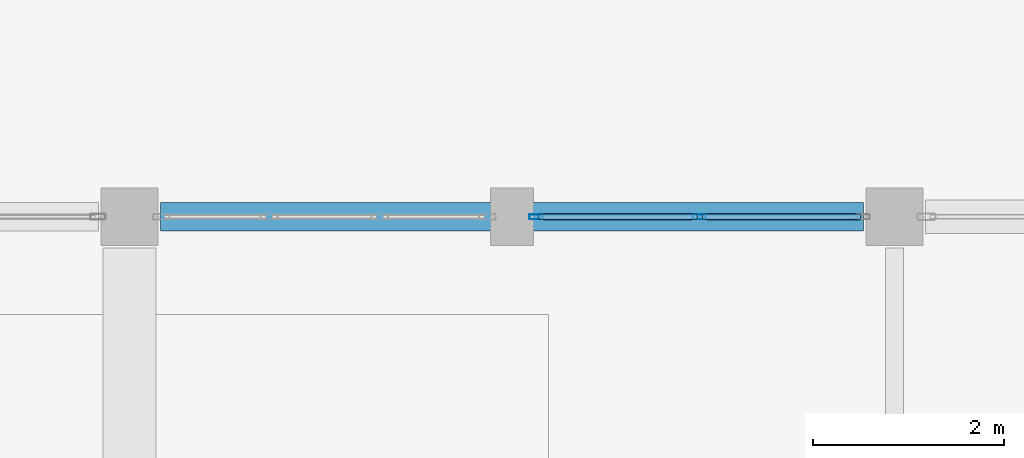
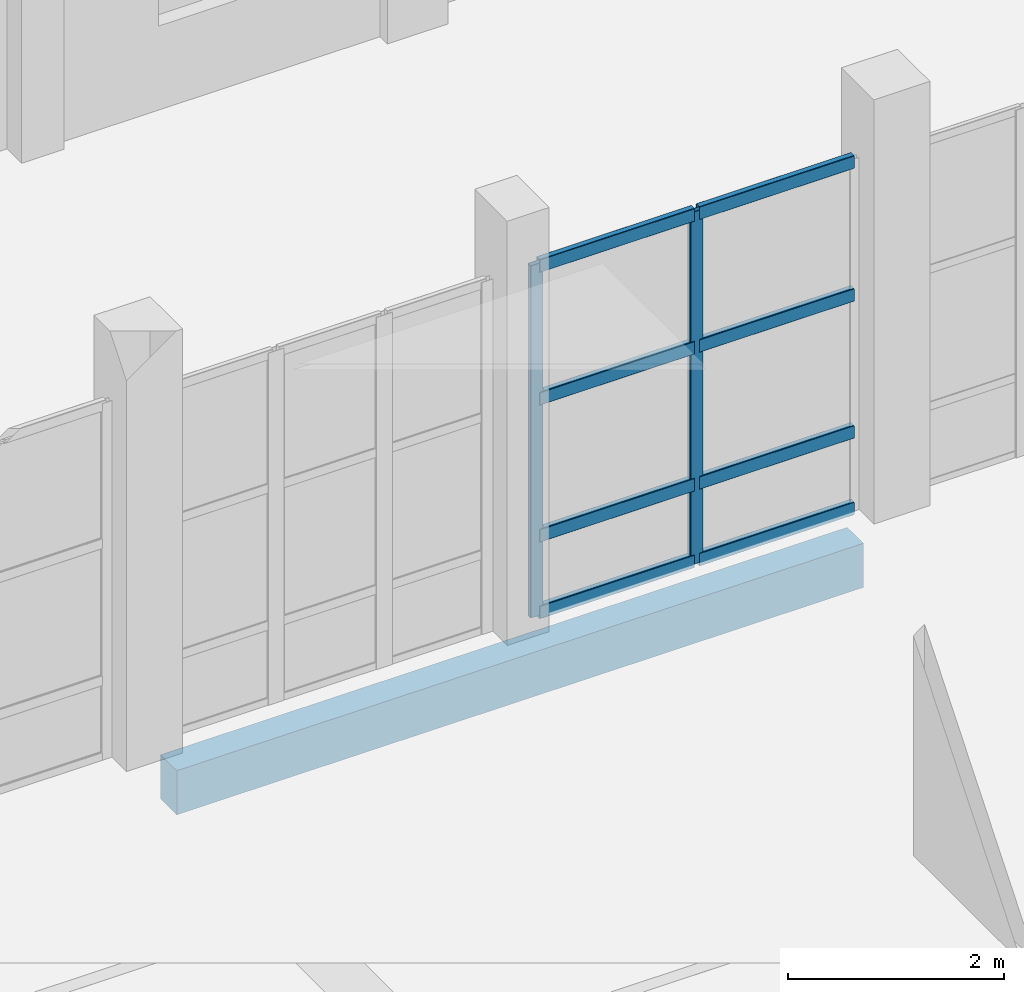
# One storey, part 68 of 156: 10 members, 1 beam, 1 element without a shape of its own.
"""IFC4 building model written with IfcOpenShell, lengths in metres."""

from ifc_helpers import new_model, si_unit, direction, frame, origin, origin_2d, place, context, subcontext, project, spatial, rectangle, hollow_rectangle, extrude, material, material_profile, profile_set, type_object, element, aggregate, save


model = new_model("IFC4")

# Units and contexts
model_context = context("Model", 3, precision=1e-05, world=origin(), true_north=direction((0.0, 1.0)))
body_context = subcontext(model_context, "Body", "Model", "MODEL_VIEW")
ifc_project = project(units=[si_unit("LENGTHUNIT", "METRE"), si_unit("AREAUNIT", "SQUARE_METRE"), si_unit("VOLUMEUNIT", "CUBIC_METRE"), si_unit("PLANEANGLEUNIT", "RADIAN"), si_unit("MASSUNIT", "GRAM", prefix="KILO")], contexts=[model_context])

# Site, building, storey
site_placement = place(None, origin())
site = spatial("IfcSite", under=ifc_project, at=site_placement, CompositionType="ELEMENT")
building_placement = place(site_placement, origin())
building = spatial("IfcBuilding", under=site, at=building_placement, Name="Luwemba Playhouse", CompositionType="ELEMENT")
storey_placement = place(building_placement, origin())
storey = spatial("IfcBuildingStorey", under=building, at=storey_placement, Name="L00", CompositionType="ELEMENT", Elevation=0.0)

# Beam
ifc_material_1 = material(Name="Concrete C40/50", Category="concrete")
ifc_material_profile_1 = material_profile(ifc_material_1, rectangle(XDim=0.300048828125, YDim=0.5, at=origin_2d()))
ifc_profile_set_1 = profile_set([ifc_material_profile_1], Name="Concrete C40/50")
beam_type = type_object("IfcBeamType", Name="BM-SP1", PredefinedType="SPANDREL", material=ifc_profile_set_1)
beam_placement = place(storey_placement, frame((156.324951171875, 27.0, -0.550048828125), z_axis=(1.0, 0.0, 0.0), x_axis=(0.0, 1.0, 0.0)))
element("IfcBeam", 1, at=beam_placement, inside=storey, type_object=beam_type, Name="L00 grid girder 0228", PredefinedType="SPANDREL", context=body_context, shape_type="SweptSolid", body=[
    extrude(rectangle(XDim=0.300048828125, YDim=0.5, at=origin_2d()), origin(), (0.0, 0.0, 1.0), 7.35009765625),
])

# Curtain wall, members
ifc_material_2 = material(Name="Solar-control double glazing", Category="glass")
curtain_wall_type = type_object("IfcCurtainWallType", Name="CW-CW55", PredefinedType="USERDEFINED", material=ifc_material_2)
curtain_wall_placement = place(storey_placement, origin())
curtain_wall = element("IfcCurtainWall", 2, at=curtain_wall_placement, inside=storey, type_object=curtain_wall_type, Name="L00 V5E unitised curtain wall 065", ObjectType="UNITISED GLAZING", PredefinedType="USERDEFINED")
ifc_material_3 = material(Name="Aluminium 6063-T6", Category="aluminium")
ifc_material_profile_2 = material_profile(ifc_material_3, hollow_rectangle(XDim=0.054931640625, YDim=0.139892578125, WallThickness=0.00390625, InnerFilletRadius=0.006103515625, OuterFilletRadius=0.010009765625, at=origin_2d()))
ifc_profile_set_2 = profile_set([ifc_material_profile_2], Name="Aluminium 6063-T6")
member_type_1 = type_object("IfcMemberType", Name="CWM-M3", PredefinedType="MULLION", material=ifc_profile_set_2)
member_1_placement = place(storey_placement, frame((160.25244140625, 27.0, 0.0), z_axis=(0.0, 0.0, 1.0), x_axis=(0.0, 1.0, 0.0)))
member_1 = element("IfcMember", 3, at=member_1_placement, type_object=member_type_1, Name="CW55 mullion 1", PredefinedType="MULLION", context=body_context, shape_type="SweptSolid", body=[
    extrude(hollow_rectangle(XDim=0.054931640625, YDim=0.139892578125, WallThickness=0.00390625, InnerFilletRadius=0.006103515625, OuterFilletRadius=0.010009765625, at=origin_2d()), origin(), (0.0, 0.0, 1.0), 3.985107421875),
])
member_2_placement = place(storey_placement, frame((161.96240234375, 27.0, 0.0), z_axis=(0.0, 0.0, 1.0), x_axis=(0.0, 1.0, 0.0)))
member_2 = element("IfcMember", 4, at=member_2_placement, type_object=member_type_1, Name="CW55 mullion 2", PredefinedType="MULLION", context=body_context, shape_type="SweptSolid", body=[
    extrude(hollow_rectangle(XDim=0.054931640625, YDim=0.139892578125, WallThickness=0.00390625, InnerFilletRadius=0.006103515625, OuterFilletRadius=0.010009765625, at=origin_2d()), origin(), (0.0, 0.0, 1.0), 3.985107421875),
])
ifc_material_profile_3 = material_profile(ifc_material_3, hollow_rectangle(XDim=0.06494140625, YDim=0.14990234375, WallThickness=0.00390625, InnerFilletRadius=0.006103515625, OuterFilletRadius=0.010009765625, at=origin_2d()))
ifc_profile_set_3 = profile_set([ifc_material_profile_3], Name="Aluminium 6063-T6")
member_type_2 = type_object("IfcMemberType", Name="CWT-T3", PredefinedType="USERDEFINED", material=ifc_profile_set_3)
member_3_placement = place(storey_placement, frame((160.280029296875, 27.0, 0.032470703125), z_axis=(1.0, 0.0, 0.0), x_axis=(0.0, 1.0, 0.0)))
member_3 = element("IfcMember", 5, at=member_3_placement, type_object=member_type_2, Name="CW55 transom 1.1", ObjectType="TRANSOM", PredefinedType="USERDEFINED", context=body_context, shape_type="SweptSolid", body=[
    extrude(hollow_rectangle(XDim=0.06494140625, YDim=0.14990234375, WallThickness=0.00390625, InnerFilletRadius=0.006103515625, OuterFilletRadius=0.010009765625, at=origin_2d()), origin(), (0.0, 0.0, 1.0), 1.655029296875),
])
member_4_placement = place(storey_placement, frame((160.280029296875, 27.0, 0.89990234375), z_axis=(1.0, 0.0, 0.0), x_axis=(0.0, 1.0, 0.0)))
member_4 = element("IfcMember", 6, at=member_4_placement, type_object=member_type_2, Name="CW55 transom 1.2", ObjectType="TRANSOM", PredefinedType="USERDEFINED", context=body_context, shape_type="SweptSolid", body=[
    extrude(hollow_rectangle(XDim=0.06494140625, YDim=0.14990234375, WallThickness=0.00390625, InnerFilletRadius=0.006103515625, OuterFilletRadius=0.010009765625, at=origin_2d()), origin(), (0.0, 0.0, 1.0), 1.655029296875),
])
member_5_placement = place(storey_placement, frame((160.280029296875, 27.0, 2.449951171875), z_axis=(1.0, 0.0, 0.0), x_axis=(0.0, 1.0, 0.0)))
member_5 = element("IfcMember", 7, at=member_5_placement, type_object=member_type_2, Name="CW55 transom 1.3", ObjectType="TRANSOM", PredefinedType="USERDEFINED", context=body_context, shape_type="SweptSolid", body=[
    extrude(hollow_rectangle(XDim=0.06494140625, YDim=0.14990234375, WallThickness=0.00390625, InnerFilletRadius=0.006103515625, OuterFilletRadius=0.010009765625, at=origin_2d()), origin(), (0.0, 0.0, 1.0), 1.655029296875),
])
member_6_placement = place(storey_placement, frame((160.280029296875, 27.0, 3.952392578125), z_axis=(1.0, 0.0, 0.0), x_axis=(0.0, 1.0, 0.0)))
member_6 = element("IfcMember", 8, at=member_6_placement, type_object=member_type_2, Name="CW55 transom 1.4", ObjectType="TRANSOM", PredefinedType="USERDEFINED", context=body_context, shape_type="SweptSolid", body=[
    extrude(hollow_rectangle(XDim=0.06494140625, YDim=0.14990234375, WallThickness=0.00390625, InnerFilletRadius=0.006103515625, OuterFilletRadius=0.010009765625, at=origin_2d()), origin(), (0.0, 0.0, 1.0), 1.655029296875),
])
member_7_placement = place(storey_placement, frame((161.989990234375, 27.0, 0.032470703125), z_axis=(1.0, 0.0, 0.0), x_axis=(0.0, 1.0, 0.0)))
member_7 = element("IfcMember", 9, at=member_7_placement, type_object=member_type_2, Name="CW55 transom 2.1", ObjectType="TRANSOM", PredefinedType="USERDEFINED", context=body_context, shape_type="SweptSolid", body=[
    extrude(hollow_rectangle(XDim=0.06494140625, YDim=0.14990234375, WallThickness=0.00390625, InnerFilletRadius=0.006103515625, OuterFilletRadius=0.010009765625, at=origin_2d()), origin(), (0.0, 0.0, 1.0), 1.655029296875),
])
member_8_placement = place(storey_placement, frame((161.989990234375, 27.0, 0.89990234375), z_axis=(1.0, 0.0, 0.0), x_axis=(0.0, 1.0, 0.0)))
member_8 = element("IfcMember", 10, at=member_8_placement, type_object=member_type_2, Name="CW55 transom 2.2", ObjectType="TRANSOM", PredefinedType="USERDEFINED", context=body_context, shape_type="SweptSolid", body=[
    extrude(hollow_rectangle(XDim=0.06494140625, YDim=0.14990234375, WallThickness=0.00390625, InnerFilletRadius=0.006103515625, OuterFilletRadius=0.010009765625, at=origin_2d()), origin(), (0.0, 0.0, 1.0), 1.655029296875),
])
member_9_placement = place(storey_placement, frame((161.989990234375, 27.0, 2.449951171875), z_axis=(1.0, 0.0, 0.0), x_axis=(0.0, 1.0, 0.0)))
member_9 = element("IfcMember", 11, at=member_9_placement, type_object=member_type_2, Name="CW55 transom 2.3", ObjectType="TRANSOM", PredefinedType="USERDEFINED", context=body_context, shape_type="SweptSolid", body=[
    extrude(hollow_rectangle(XDim=0.06494140625, YDim=0.14990234375, WallThickness=0.00390625, InnerFilletRadius=0.006103515625, OuterFilletRadius=0.010009765625, at=origin_2d()), origin(), (0.0, 0.0, 1.0), 1.655029296875),
])
member_10_placement = place(storey_placement, frame((161.989990234375, 27.0, 3.952392578125), z_axis=(1.0, 0.0, 0.0), x_axis=(0.0, 1.0, 0.0)))
member_10 = element("IfcMember", 12, at=member_10_placement, type_object=member_type_2, Name="CW55 transom 2.4", ObjectType="TRANSOM", PredefinedType="USERDEFINED", context=body_context, shape_type="SweptSolid", body=[
    extrude(hollow_rectangle(XDim=0.06494140625, YDim=0.14990234375, WallThickness=0.00390625, InnerFilletRadius=0.006103515625, OuterFilletRadius=0.010009765625, at=origin_2d()), origin(), (0.0, 0.0, 1.0), 1.655029296875),
])
aggregate(curtain_wall, [member_1, member_2, member_3, member_4, member_5, member_6, member_7, member_8, member_9, member_10])

save(model, "model.ifc")
